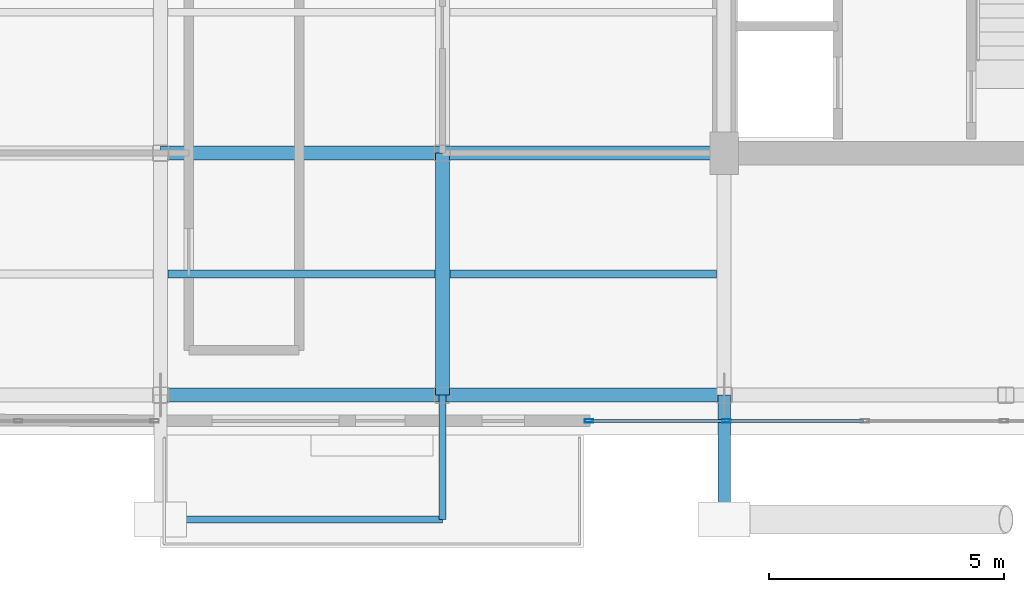
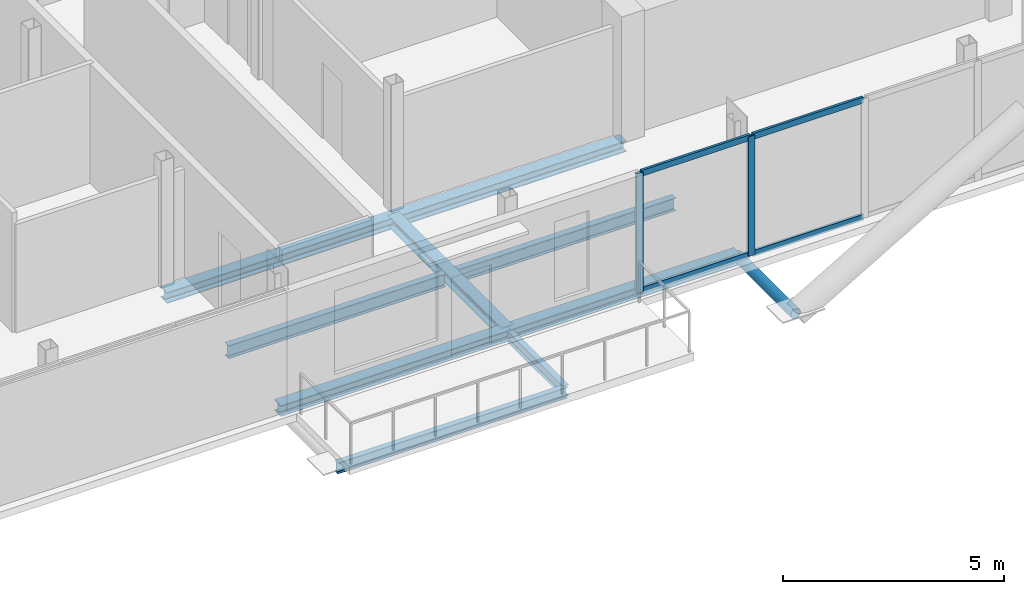
# One storey, part 4 of 19: 9 beams, 7 members, 1 element without a shape of its own.
"""IFC4 building model written with IfcOpenShell, lengths in metres."""

from ifc_helpers import new_model, si_unit, direction, frame, origin, origin_2d, place, context, subcontext, project, spatial, hollow_rectangle, hollow_circle, i_section, extrude, material, layer, layer_set, material_profile, profile_set, type_object, element, aggregate, save


model = new_model("IFC4")

# Units and contexts
model_context = context("Model", 3, precision=1e-05, world=origin(), true_north=direction((0.0, 1.0)))
body_context = subcontext(model_context, "Body", "Model", "MODEL_VIEW")
ifc_project = project(units=[si_unit("LENGTHUNIT", "METRE"), si_unit("AREAUNIT", "SQUARE_METRE"), si_unit("VOLUMEUNIT", "CUBIC_METRE"), si_unit("PLANEANGLEUNIT", "RADIAN"), si_unit("MASSUNIT", "GRAM", prefix="KILO"), si_unit("THERMODYNAMICTEMPERATUREUNIT", "KELVIN"), si_unit("POWERUNIT", "WATT")], contexts=[model_context])

# Site, building, storey
site_placement = place(None, origin())
site = spatial("IfcSite", under=ifc_project, at=site_placement, CompositionType="ELEMENT")
building_placement = place(site_placement, origin())
building = spatial("IfcBuilding", under=site, at=building_placement, Name="Svarakhadi Broadcast Tower", CompositionType="ELEMENT")
storey_placement = place(building_placement, frame((0.0, 0.0, 239.699951171875)))
storey = spatial("IfcBuildingStorey", under=building, at=storey_placement, Name="L59", CompositionType="ELEMENT", Elevation=239.699951171875)

# Beams
ifc_material_1 = material(Name="Steel S355J2 (IS 2062 E350C)", Category="steel")
ifc_material_profile_1 = material_profile(ifc_material_1, i_section(OverallWidth=0.169921875, OverallDepth=0.360107421875, WebThickness=0.008056640625, FlangeThickness=0.0126953125, FilletRadius=0.01806640625, at=origin_2d()), Name="NPB 360x170x57")
ifc_profile_set_1 = profile_set([ifc_material_profile_1], Name="Steel S355J2 (IS 2062 E350C)")
beam_type_1 = type_object("IfcBeamType", Name="Beam_NPB360", PredefinedType="BEAM", material=ifc_profile_set_1)
for number, where, z_axis, x_axis, name in (
    (1, (12.159912109375, 3.425048828125, -0.3798828125), (1.0, 0.0, 0.0), (0.0, 1.0, 0.0), "L59 Secondary Composite Beam SB008"),
    (2, (18.159912109375, 3.425048828125, -0.3798828125), (1.0, 0.0, 0.0), (0.0, 1.0, 0.0), "L59 Secondary Composite Beam SB011"),
):
    element("IfcBeam", number, at=place(storey_placement, frame(where, z_axis=z_axis, x_axis=x_axis)), inside=storey, type_object=beam_type_1, Name=name, PredefinedType="BEAM", context=body_context, shape_type="SweptSolid", body=[
        extrude(i_section(OverallWidth=0.169921875, OverallDepth=0.360107421875, WebThickness=0.008056640625, FlangeThickness=0.0126953125, FilletRadius=0.01806640625, at=origin_2d()), origin(), (0.0, 0.0, 1.0), 5.68017578125),
    ])

# Curtain wall, members
ifc_material_2 = material(Name="Anodised Bronze Aluminium AA 6063-T6", Category="aluminium")
ifc_layer = layer(ifc_material_2, 0.179931640625)
ifc_layer_set = layer_set([ifc_layer], Name="Anodised Bronze Aluminium AA 6063-T6")
curtain_wall_type = type_object("IfcCurtainWallType", Name="CW_Sys_05", PredefinedType="NOTDEFINED", material=ifc_layer_set)
curtain_wall_placement = place(storey_placement, origin())
curtain_wall = element("IfcCurtainWall", 3, at=curtain_wall_placement, inside=storey, type_object=curtain_wall_type, Name="L59 South Curtain Wall 14", PredefinedType="NOTDEFINED")
ifc_material_profile_2 = material_profile(ifc_material_2, hollow_rectangle(XDim=0.070068359375, YDim=0.179931640625, WallThickness=0.005615234375, at=origin_2d()), Name="ALU MULLION 180x70x6")
ifc_profile_set_2 = profile_set([ifc_material_profile_2], Name="Anodised Bronze Aluminium AA 6063-T6")
member_type_1 = type_object("IfcMemberType", Name="CW_Sys_05_Mul", PredefinedType="MULLION", material=ifc_profile_set_2)
member_1_placement = place(storey_placement, frame((24.044921875, 0.300048828125, 0.0), z_axis=(0.0, 0.0, 1.0), x_axis=(0.0, -1.0, 0.0)))
member_1 = element("IfcMember", 4, at=member_1_placement, type_object=member_type_1, Name="CW-05 mullion 4", PredefinedType="MULLION", context=body_context, shape_type="SweptSolid", body=[
    extrude(hollow_rectangle(XDim=0.070068359375, YDim=0.179931640625, WallThickness=0.005615234375, at=origin_2d()), origin(), (0.0, 0.0, 1.0), 3.300048828125),
])
member_2_placement = place(storey_placement, frame((21.125, 0.300048828125, 0.0), z_axis=(0.0, 0.0, 1.0), x_axis=(0.0, -1.0, 0.0)))
member_2 = element("IfcMember", 5, at=member_2_placement, type_object=member_type_1, Name="CW-05 mullion 5", PredefinedType="MULLION", context=body_context, shape_type="SweptSolid", body=[
    extrude(hollow_rectangle(XDim=0.070068359375, YDim=0.179931640625, WallThickness=0.005615234375, at=origin_2d()), origin(), (0.0, 0.0, 1.0), 3.300048828125),
])
ifc_material_profile_3 = material_profile(ifc_material_2, hollow_rectangle(XDim=0.06494140625, YDim=0.1650390625, WallThickness=0.0048828125, at=origin_2d()), Name="ALU TRANSOM 165x65x5")
ifc_profile_set_3 = profile_set([ifc_material_profile_3], Name="Anodised Bronze Aluminium AA 6063-T6")
member_type_2 = type_object("IfcMemberType", Name="CW_Sys_05_Trn", PredefinedType="USERDEFINED", material=ifc_profile_set_3)
member_3_placement = place(storey_placement, frame((26.965087890625, 0.300048828125, 0.032470703125), z_axis=(-1.0, 0.0, 0.0), x_axis=(0.0, -1.0, 0.0)))
member_3 = element("IfcMember", 6, at=member_3_placement, type_object=member_type_2, Name="CW-05 transom 3.1", ObjectType="TRANSOM", PredefinedType="USERDEFINED", context=body_context, shape_type="SweptSolid", body=[
    extrude(hollow_rectangle(XDim=0.06494140625, YDim=0.1650390625, WallThickness=0.0048828125, at=origin_2d()), origin(), (0.0, 0.0, 1.0), 2.885009765625),
])
member_4_placement = place(storey_placement, frame((26.965087890625, 0.300048828125, 3.267578125), z_axis=(-1.0, 0.0, 0.0), x_axis=(0.0, -1.0, 0.0)))
member_4 = element("IfcMember", 7, at=member_4_placement, type_object=member_type_2, Name="CW-05 transom 3.2", ObjectType="TRANSOM", PredefinedType="USERDEFINED", context=body_context, shape_type="SweptSolid", body=[
    extrude(hollow_rectangle(XDim=0.06494140625, YDim=0.1650390625, WallThickness=0.0048828125, at=origin_2d()), origin(), (0.0, 0.0, 1.0), 2.885009765625),
])
member_5_placement = place(storey_placement, frame((24.010009765625, 0.300048828125, 0.032470703125), z_axis=(-1.0, 0.0, 0.0), x_axis=(0.0, -1.0, 0.0)))
member_5 = element("IfcMember", 8, at=member_5_placement, type_object=member_type_2, Name="CW-05 transom 4.1", ObjectType="TRANSOM", PredefinedType="USERDEFINED", context=body_context, shape_type="SweptSolid", body=[
    extrude(hollow_rectangle(XDim=0.06494140625, YDim=0.1650390625, WallThickness=0.0048828125, at=origin_2d()), origin(), (0.0, 0.0, 1.0), 2.85009765625),
])
member_6_placement = place(storey_placement, frame((24.010009765625, 0.300048828125, 3.267578125), z_axis=(-1.0, 0.0, 0.0), x_axis=(0.0, -1.0, 0.0)))
member_6 = element("IfcMember", 9, at=member_6_placement, type_object=member_type_2, Name="CW-05 transom 4.2", ObjectType="TRANSOM", PredefinedType="USERDEFINED", context=body_context, shape_type="SweptSolid", body=[
    extrude(hollow_rectangle(XDim=0.06494140625, YDim=0.1650390625, WallThickness=0.0048828125, at=origin_2d()), origin(), (0.0, 0.0, 1.0), 2.85009765625),
])
aggregate(curtain_wall, [member_1, member_2, member_3, member_4, member_5, member_6])

# Member
ifc_material_3 = material(Name="Steel S460ML (IS 2062 E450BR)", Category="steel")
ifc_material_profile_4 = material_profile(ifc_material_3, hollow_circle(Radius=0.136474609375, WallThickness=0.012451171875, at=origin_2d()), Name="CHS 273x12.5")
ifc_profile_set_4 = profile_set([ifc_material_profile_4], Name="Steel S460ML (IS 2062 E450BR)")
member_type_3 = type_object("IfcMemberType", Name="Exo_Radial_Strut_Z3", PredefinedType="STRUT", material=ifc_profile_set_4)
member_7_placement = place(storey_placement, frame((24.0, -1.800048828125, -0.33642578125), z_axis=(0.0, 1.0, 0.0), x_axis=(-1.0, 0.0, 0.0)))
element("IfcMember", 10, at=member_7_placement, inside=storey, type_object=member_type_3, Name="L59 Exoskeleton Radial Tie Strut S02", PredefinedType="STRUT", context=body_context, shape_type="SweptSolid", body=[
    extrude(hollow_circle(Radius=0.136474609375, WallThickness=0.012451171875, at=origin_2d()), origin(), (0.0, 0.0, 1.0), 2.650146484375),
])

# Beams
ifc_material_profile_5 = material_profile(ifc_material_1, i_section(OverallWidth=0.300048828125, OverallDepth=0.300048828125, WebThickness=0.010986328125, FlangeThickness=0.01904296875, FilletRadius=0.027099609375, at=origin_2d()), Name="WPB 300x300x117")
ifc_profile_set_5 = profile_set([ifc_material_profile_5], Name="Steel S355J2 (IS 2062 E350C)")
beam_type_2 = type_object("IfcBeamType", Name="Girder_WPB300", PredefinedType="USERDEFINED", material=ifc_profile_set_5)
for number, where, z_axis, x_axis, name in (
    (11, (12.0, 0.85009765625, -0.349853515625), (1.0, 0.0, 0.0), (0.0, 1.0, 0.0), "L59 Primary E-W Girder G005"),
    (12, (18.0, 0.85009765625, -0.349853515625), (1.0, 0.0, 0.0), (0.0, 1.0, 0.0), "L59 Primary E-W Girder G006"),
    (13, (12.0, 6.0, -0.349853515625), (1.0, 0.0, 0.0), (0.0, 1.0, 0.0), "L59 Primary E-W Girder G011"),
    (14, (18.0, 6.0, -0.349853515625), (1.0, 0.0, 0.0), (0.0, 1.0, 0.0), "L59 Primary E-W Girder G012"),
):
    element("IfcBeam", number, at=place(storey_placement, frame(where, z_axis=z_axis, x_axis=x_axis)), inside=storey, type_object=beam_type_2, Name=name, ObjectType="GIRDER", PredefinedType="USERDEFINED", context=body_context, shape_type="SweptSolid", body=[
        extrude(i_section(OverallWidth=0.300048828125, OverallDepth=0.300048828125, WebThickness=0.010986328125, FlangeThickness=0.01904296875, FilletRadius=0.027099609375, at=origin_2d()), origin(), (0.0, 0.0, 1.0), 6.0),
    ])
beam_1_placement = place(storey_placement, frame((18.0, 0.85009765625, -0.349853515625), z_axis=(0.0, 1.0, 0.0), x_axis=(-1.0, 0.0, 0.0)))
element("IfcBeam", 15, at=beam_1_placement, inside=storey, type_object=beam_type_2, Name="L59 Primary N-S Girder G039", ObjectType="GIRDER", PredefinedType="USERDEFINED", context=body_context, shape_type="SweptSolid", body=[
    extrude(i_section(OverallWidth=0.300048828125, OverallDepth=0.300048828125, WebThickness=0.010986328125, FlangeThickness=0.01904296875, FilletRadius=0.027099609375, at=origin_2d()), origin(), (0.0, 0.0, 1.0), 5.14990234375),
])
ifc_material_profile_6 = material_profile(ifc_material_1, i_section(OverallWidth=0.14990234375, OverallDepth=0.300048828125, WebThickness=0.007080078125, FlangeThickness=0.0107421875, FilletRadius=0.014892578125, at=origin_2d()), Name="NPB 300x150x37")
ifc_profile_set_6 = profile_set([ifc_material_profile_6], Name="Steel S355J2 (IS 2062 E350C)")
beam_type_3 = type_object("IfcBeamType", Name="Spandrel_NPB300", PredefinedType="SPANDREL", material=ifc_profile_set_6)
beam_2_placement = place(storey_placement, frame((18.0, 0.85009765625, -0.375), z_axis=(0.0, -1.0, 0.0), x_axis=(1.0, 0.0, 0.0)))
element("IfcBeam", 16, at=beam_2_placement, inside=storey, type_object=beam_type_3, Name="L59 Balcony Cantilever Bracket 1B", PredefinedType="SPANDREL", context=body_context, shape_type="SweptSolid", body=[
    extrude(i_section(OverallWidth=0.14990234375, OverallDepth=0.300048828125, WebThickness=0.007080078125, FlangeThickness=0.0107421875, FilletRadius=0.014892578125, at=origin_2d()), origin(), (0.0, 0.0, 1.0), 2.650146484375),
])
beam_3_placement = place(storey_placement, frame((12.0, -1.800048828125, -0.375), z_axis=(1.0, 0.0, 0.0), x_axis=(0.0, 1.0, 0.0)))
element("IfcBeam", 17, at=beam_3_placement, inside=storey, type_object=beam_type_3, Name="L59 Balcony Outer Spandrel 1F", PredefinedType="SPANDREL", context=body_context, shape_type="SweptSolid", body=[
    extrude(i_section(OverallWidth=0.14990234375, OverallDepth=0.300048828125, WebThickness=0.007080078125, FlangeThickness=0.0107421875, FilletRadius=0.014892578125, at=origin_2d()), origin(), (0.0, 0.0, 1.0), 6.0),
])

save(model, "model.ifc")
